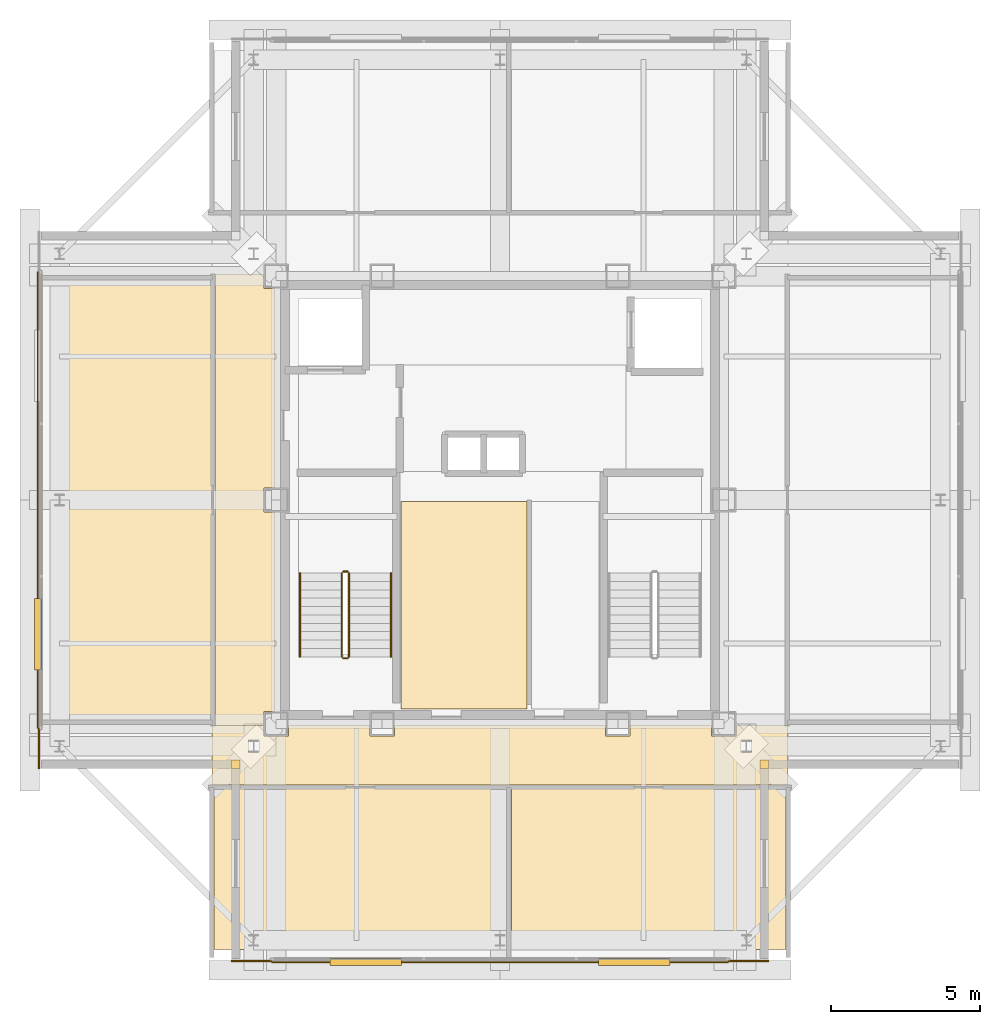
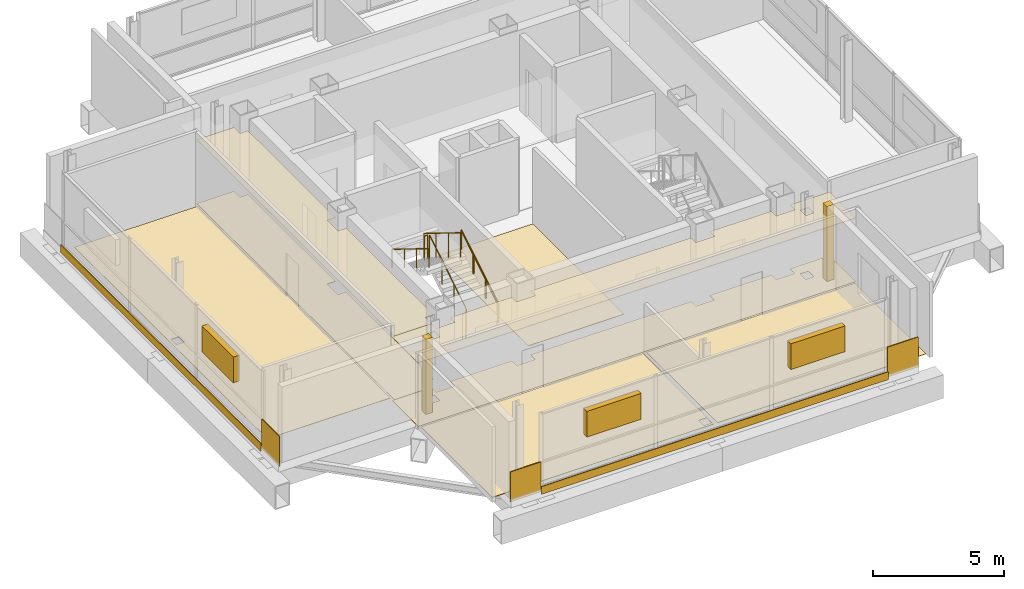
# One storey, part 8 of 10: 15 coverings, 6 railings, 3 shading devices.
"""IFC4 building model written with IfcOpenShell, lengths in metres."""

from ifc_helpers import new_model, si_unit, direction, frame, frame_2d, origin, origin_2d, place, context, subcontext, project, spatial, polyline, rectangle, circle, outline, extrude, material, layer, layer_set, type_object, element, save


model = new_model("IFC4")

# Units and contexts
model_context = context("Model", 3, precision=1e-05, world=origin(), true_north=direction((0.0, 1.0)))
body_context = subcontext(model_context, "Body", "Model", "MODEL_VIEW")
ifc_project = project(units=[si_unit("LENGTHUNIT", "METRE"), si_unit("AREAUNIT", "SQUARE_METRE"), si_unit("VOLUMEUNIT", "CUBIC_METRE"), si_unit("PLANEANGLEUNIT", "RADIAN"), si_unit("MASSUNIT", "GRAM", prefix="KILO")], contexts=[model_context])

# Site, building, storey
site_placement = place(None, origin())
site = spatial("IfcSite", under=ifc_project, at=site_placement, CompositionType="ELEMENT")
building_placement = place(site_placement, origin())
building = spatial("IfcBuilding", under=site, at=building_placement, Name="Trevonay Congress Spire", CompositionType="ELEMENT")
storey_placement = place(building_placement, frame((0.0, 0.0, 316.0)))
storey = spatial("IfcBuildingStorey", under=building, at=storey_placement, Name="L83", CompositionType="ELEMENT", Elevation=316.0)

# Coverings
ifc_material_1 = material(Name="Acoustic Mineral Fibre Board", Category="gypsum")
ifc_layer_1 = layer(ifc_material_1, 0.02490234375, Name="Acoustic Mineral Fibre Board")
ifc_layer_set_1 = layer_set([ifc_layer_1], Name="Acoustic Mineral Fibre Board")
covering_type_1 = type_object("IfcCoveringType", Name="COV-CEIL-ACOUSTIC", PredefinedType="CEILING", material=ifc_layer_set_1)
covering_1_placement = place(storey_placement, frame((0.0, 0.0, 2.969970703125)))
element("IfcCovering", 1, at=covering_1_placement, inside=storey, type_object=covering_type_1, Name="L83 Crown Gallery Corridor South acoustic suspended ceiling", PredefinedType="CEILING", context=body_context, shape_type="SweptSolid", body=[
    extrude(outline(polyline([(9.64990234375, -7.550048828125), (9.64990234375, -9.550048828125), (-9.64990234375, -9.550048828125), (-9.64990234375, -7.550048828125), (-7.909912109375, -7.550048828125), (-7.909912109375, -7.909912109375), (-7.090087890625, -7.909912109375), (-7.090087890625, -7.550048828125), (-4.360107421875, -7.550048828125), (-4.360107421875, -7.909912109375), (-3.5400390625, -7.909912109375), (-3.5400390625, -7.550048828125), (3.5400390625, -7.550048828125), (3.5400390625, -7.909912109375), (4.360107421875, -7.909912109375), (4.360107421875, -7.550048828125), (7.090087890625, -7.550048828125), (7.090087890625, -7.909912109375), (7.909912109375, -7.909912109375), (7.909912109375, -7.550048828125), (9.64990234375, -7.550048828125)]), holes=[polyline([(-8.429931640625, -8.04345703125), (-8.429931640625, -8.45654296875), (-8.070068359375, -8.45654296875), (-8.070068359375, -8.04345703125), (-8.429931640625, -8.04345703125)]), polyline([(8.429931640625, -8.04345703125), (8.070068359375, -8.04345703125), (8.070068359375, -8.45654296875), (8.429931640625, -8.45654296875), (8.429931640625, -8.04345703125)])]), origin(), (0.0, 0.0, 1.0), 0.025146484375),
])
covering_2_placement = place(storey_placement, frame((0.0, 0.0, 2.969970703125)))
element("IfcCovering", 2, at=covering_2_placement, inside=storey, type_object=covering_type_1, Name="L83 Crown Gallery Corridor West acoustic suspended ceiling", PredefinedType="CEILING", context=body_context, shape_type="SweptSolid", body=[
    extrude(outline(polyline([(-9.550048828125, 7.550048828125), (-7.909912109375, 7.550048828125), (-7.909912109375, 7.090087890625), (-7.550048828125, 7.090087890625), (-7.550048828125, 0.409912109375), (-7.909912109375, 0.409912109375), (-7.909912109375, -0.409912109375), (-7.550048828125, -0.409912109375), (-7.550048828125, -7.090087890625), (-7.909912109375, -7.090087890625), (-7.909912109375, -7.550048828125), (-9.550048828125, -7.550048828125), (-9.550048828125, 7.550048828125)])), origin(), (0.0, 0.0, 1.0), 0.025146484375),
])
ifc_material_2 = material(Name="Polished Granite Floor Tile", Category="masonry")
ifc_layer_2 = layer(ifc_material_2, 0.02001953125, Name="Polished Granite Floor Tile")
ifc_layer_set_2 = layer_set([ifc_layer_2], Name="Polished Granite Floor Tile")
covering_type_2 = type_object("IfcCoveringType", Name="COV-FLOOR-STONE", PredefinedType="FLOORING", material=ifc_layer_set_2)
covering_3_placement = place(storey_placement, origin())
element("IfcCovering", 3, at=covering_3_placement, inside=storey, type_object=covering_type_2, Name="L83 Translation Equipment Hub floor finish", PredefinedType="FLOORING", context=body_context, shape_type="SweptSolid", body=[
    extrude(outline(polyline([(-3.320068359375, -7.0), (0.89990234375, -7.0), (0.89990234375, -0.050048828125), (-3.320068359375, -0.050048828125), (-3.320068359375, -7.0)])), origin(), (0.0, 0.0, 1.0), 0.02001953125),
])
covering_4_placement = place(storey_placement, origin())
element("IfcCovering", 4, at=covering_4_placement, inside=storey, type_object=covering_type_2, Name="L83 Crown Gallery Corridor South floor finish", PredefinedType="FLOORING", context=body_context, shape_type="SweptSolid", body=[
    extrude(outline(polyline([(9.64990234375, -7.550048828125), (9.64990234375, -9.550048828125), (-9.64990234375, -9.550048828125), (-9.64990234375, -7.550048828125), (-7.909912109375, -7.550048828125), (-7.909912109375, -7.909912109375), (-7.090087890625, -7.909912109375), (-7.090087890625, -7.550048828125), (-4.360107421875, -7.550048828125), (-4.360107421875, -7.909912109375), (-3.5400390625, -7.909912109375), (-3.5400390625, -7.550048828125), (3.5400390625, -7.550048828125), (3.5400390625, -7.909912109375), (4.360107421875, -7.909912109375), (4.360107421875, -7.550048828125), (7.090087890625, -7.550048828125), (7.090087890625, -7.909912109375), (7.909912109375, -7.909912109375), (7.909912109375, -7.550048828125), (9.64990234375, -7.550048828125)]), holes=[polyline([(-8.429931640625, -8.04345703125), (-8.429931640625, -8.45654296875), (-8.070068359375, -8.45654296875), (-8.070068359375, -8.04345703125), (-8.429931640625, -8.04345703125)]), polyline([(8.429931640625, -8.04345703125), (8.070068359375, -8.04345703125), (8.070068359375, -8.45654296875), (8.429931640625, -8.45654296875), (8.429931640625, -8.04345703125)])]), origin(), (0.0, 0.0, 1.0), 0.02001953125),
])
covering_5_placement = place(storey_placement, origin())
element("IfcCovering", 5, at=covering_5_placement, inside=storey, type_object=covering_type_2, Name="L83 Crown Gallery Corridor West floor finish", PredefinedType="FLOORING", context=body_context, shape_type="SweptSolid", body=[
    extrude(outline(polyline([(-9.550048828125, 7.550048828125), (-7.909912109375, 7.550048828125), (-7.909912109375, 7.090087890625), (-7.550048828125, 7.090087890625), (-7.550048828125, 0.409912109375), (-7.909912109375, 0.409912109375), (-7.909912109375, -0.409912109375), (-7.550048828125, -0.409912109375), (-7.550048828125, -7.090087890625), (-7.909912109375, -7.090087890625), (-7.909912109375, -7.550048828125), (-9.550048828125, -7.550048828125), (-9.550048828125, 7.550048828125)])), origin(), (0.0, 0.0, 1.0), 0.02001953125),
])
covering_6_placement = place(storey_placement, origin())
element("IfcCovering", 6, at=covering_6_placement, inside=storey, type_object=covering_type_2, Name="L83 Crown Cooling Tower Plant floor finish", PredefinedType="FLOORING", context=body_context, shape_type="SweptSolid", body=[
    extrude(outline(polyline([(-9.570068359375, -9.6201171875), (0.219970703125, -9.6201171875), (0.219970703125, -15.050048828125), (-9.570068359375, -15.050048828125), (-9.570068359375, -9.6201171875)]), holes=[polyline([(-8.4208984375, -14.946044921875), (-8.0791015625, -14.946044921875), (-8.0791015625, -14.553955078125), (-8.4208984375, -14.553955078125), (-8.4208984375, -14.946044921875)]), polyline([(-0.1708984375, -14.946044921875), (0.1708984375, -14.946044921875), (0.1708984375, -14.553955078125), (-0.1708984375, -14.553955078125), (-0.1708984375, -14.946044921875)])]), origin(), (0.0, 0.0, 1.0), 0.02001953125),
])
covering_7_placement = place(storey_placement, origin())
element("IfcCovering", 7, at=covering_7_placement, inside=storey, type_object=covering_type_2, Name="L83 Water Treatment Plant floor finish", PredefinedType="FLOORING", context=body_context, shape_type="SweptSolid", body=[
    extrude(outline(polyline([(0.3798828125, -9.6201171875), (9.570068359375, -9.6201171875), (9.570068359375, -15.050048828125), (0.3798828125, -15.050048828125), (0.3798828125, -9.6201171875)]), holes=[polyline([(8.4208984375, -14.946044921875), (8.4208984375, -14.553955078125), (8.0791015625, -14.553955078125), (8.0791015625, -14.946044921875), (8.4208984375, -14.946044921875)])]), origin(), (0.0, 0.0, 1.0), 0.02001953125),
])
covering_8_placement = place(storey_placement, origin())
element("IfcCovering", 8, at=covering_8_placement, inside=storey, type_object=covering_type_2, Name="L83 Spire Structural Monitoring Plant floor finish", PredefinedType="FLOORING", context=body_context, shape_type="SweptSolid", body=[
    extrude(outline(polyline([(-15.050048828125, 7.3701171875), (-9.6201171875, 7.3701171875), (-9.6201171875, -7.3701171875), (-15.050048828125, -7.3701171875), (-15.050048828125, 7.3701171875)]), holes=[polyline([(-14.5791015625, -0.196044921875), (-14.5791015625, 0.196044921875), (-14.9208984375, 0.196044921875), (-14.9208984375, -0.196044921875), (-14.5791015625, -0.196044921875)])]), origin(), (0.0, 0.0, 1.0), 0.02001953125),
])
ifc_material_3 = material(Name="Pale Anodised Aluminium EN AW-6063-T6", Category="aluminium")
ifc_layer_3 = layer(ifc_material_3, 0.0400390625, Name="Pale Anodised Aluminium EN AW-6063-T6")
ifc_layer_set_3 = layer_set([ifc_layer_3], Name="Pale Anodised Aluminium EN AW-6063-T6")
covering_type_3 = type_object("IfcCoveringType", Name="COV-SPANDREL-PALE-METAL", PredefinedType="CLADDING", material=ifc_layer_set_3)
for number, where, z_axis, x_axis, name in (
    (9, (-7.64990234375, -15.47998046875, -0.239990234375), (0.0, 0.0, 1.0), (1.0, 0.0, 0.0), "L83 S pale-metal slab-edge spandrel cladding"),
    (10, (-15.47998046875, -7.64990234375, -0.239990234375), (0.0, 0.0, 1.0), (0.0, 1.0, 0.0), "L83 W pale-metal slab-edge spandrel cladding"),
):
    element("IfcCovering", number, at=place(storey_placement, frame(where, z_axis=z_axis, x_axis=x_axis)), inside=storey, type_object=covering_type_3, Name=name, PredefinedType="CLADDING", context=body_context, shape_type="SweptSolid", body=[
        extrude(rectangle(XDim=15.2998046875, YDim=0.0400390625, at=frame_2d((7.64990234375, 0.0))), origin(), (0.0, 0.0, 1.0), 0.360107421875),
    ])
covering_9_placement = place(storey_placement, origin())
element("IfcCovering", 11, at=covering_9_placement, inside=storey, type_object=covering_type_3, Name="L83 SW re-entrant notch corner closure trim", PredefinedType="CLADDING", context=body_context, shape_type="SweptSolid", body=[
    extrude(outline(polyline([(-9.0, -9.0), (-8.699951171875, -9.0), (-8.699951171875, -8.699951171875), (-9.0, -8.699951171875), (-9.0, -9.0)])), origin(), (0.0, 0.0, 1.0), 3.52001953125),
])
for number, where, z_axis, x_axis, name in (
    (12, (-15.43994140625, -7.64990234375, -0.14990234375), (0.0, 0.0, 1.0), (0.0, -1.0, 0.0), "L83 SW corner pier spandrel cladding 1"),
    (13, (-7.64990234375, -15.43994140625, -0.14990234375), (0.0, 0.0, 1.0), (-1.0, 0.0, 0.0), "L83 SW corner pier spandrel cladding 2"),
):
    element("IfcCovering", number, at=place(storey_placement, frame(where, z_axis=z_axis, x_axis=x_axis)), inside=storey, type_object=covering_type_3, Name=name, PredefinedType="CLADDING", context=body_context, shape_type="SweptSolid", body=[
        extrude(rectangle(XDim=1.35009765625, YDim=0.0400390625, at=frame_2d((0.675048828125, 0.0))), origin(), (0.0, 0.0, 1.0), 1.39990234375),
    ])
covering_10_placement = place(storey_placement, origin())
element("IfcCovering", 14, at=covering_10_placement, inside=storey, type_object=covering_type_3, Name="L83 SE re-entrant notch corner closure trim", PredefinedType="CLADDING", context=body_context, shape_type="SweptSolid", body=[
    extrude(outline(polyline([(8.699951171875, -9.0), (9.0, -9.0), (9.0, -8.699951171875), (8.699951171875, -8.699951171875), (8.699951171875, -9.0)])), origin(), (0.0, 0.0, 1.0), 3.52001953125),
])
covering_11_placement = place(storey_placement, frame((7.64990234375, -15.43994140625, -0.14990234375), z_axis=(0.0, 0.0, 1.0), x_axis=(1.0, 0.0, 0.0)))
element("IfcCovering", 15, at=covering_11_placement, inside=storey, type_object=covering_type_3, Name="L83 SE corner pier spandrel cladding 2", PredefinedType="CLADDING", context=body_context, shape_type="SweptSolid", body=[
    extrude(rectangle(XDim=1.35009765625, YDim=0.0400390625, at=frame_2d((0.675048828125, 0.0))), origin(), (0.0, 0.0, 1.0), 1.39990234375),
])

# Railings
railing_type_1 = type_object("IfcRailingType", Name="RAL-STAIR-GUARD-110", PredefinedType="GUARDRAIL", material=ifc_material_3)
railing_1_placement = place(storey_placement, frame((-5.050048828125, -5.25, 0.172607421875)))
element("IfcRailing", 16, at=railing_1_placement, inside=storey, type_object=railing_type_1, Name="L83 ST-1 stair guard 1", PredefinedType="GUARDRAIL", context=body_context, shape_type="SweptSolid", body=[
    extrude(circle(Radius=0.02392578125, at=origin_2d()), frame((0.0, 0.0, 1.1259765625), z_axis=(0.0, 0.851089632645, 0.525020415988), x_axis=(-1.0, 0.0, 0.0)), (0.0, 0.0, 1.0), 3.2900390625),
    extrude(circle(Radius=0.02099609375, at=origin_2d()), origin(), (0.0, 0.0, 1.0), 1.101806640625),
    extrude(circle(Radius=0.02099609375, at=origin_2d()), frame((0.0, 0.933349609375, 0.57568359375)), (0.0, 0.0, 1.0), 1.101806640625),
    extrude(circle(Radius=0.02099609375, at=origin_2d()), frame((0.0, 1.86669921875, 1.151611328125)), (0.0, 0.0, 1.0), 1.101806640625),
    extrude(circle(Radius=0.02099609375, at=origin_2d()), frame((0.0, 2.800048828125, 1.727294921875)), (0.0, 0.0, 1.0), 1.101806640625),
])
railing_2_placement = place(storey_placement, frame((-5.10009765625, -2.39990234375, 1.89990234375)))
element("IfcRailing", 17, at=railing_2_placement, inside=storey, type_object=railing_type_1, Name="L83 ST-1 stair guard 2", PredefinedType="GUARDRAIL", context=body_context, shape_type="SweptSolid", body=[
    extrude(circle(Radius=0.02392578125, at=origin_2d()), frame((0.0, 0.0, 1.1259765625), z_axis=(-1.0, 0.0, 0.0), x_axis=(0.0, -1.0, 0.0)), (0.0, 0.0, 1.0), 0.14990234375),
    extrude(circle(Radius=0.02099609375, at=origin_2d()), origin(), (0.0, 0.0, 1.0), 1.101806640625),
    extrude(circle(Radius=0.02099609375, at=origin_2d()), frame((-0.14990234375, 0.0, 0.0)), (0.0, 0.0, 1.0), 1.101806640625),
])
railing_3_placement = place(storey_placement, frame((-5.300048828125, -2.449951171875, 2.07275390625)))
element("IfcRailing", 18, at=railing_3_placement, inside=storey, type_object=railing_type_1, Name="L83 ST-1 stair guard 3", PredefinedType="GUARDRAIL", context=body_context, shape_type="SweptSolid", body=[
    extrude(circle(Radius=0.02392578125, at=origin_2d()), frame((0.0, 0.0, 1.1259765625), z_axis=(0.0, -0.851089632645, 0.525020415988), x_axis=(1.0, 0.0, 0.0)), (0.0, 0.0, 1.0), 3.2900390625),
    extrude(circle(Radius=0.02099609375, at=origin_2d()), origin(), (0.0, 0.0, 1.0), 1.101806640625),
    extrude(circle(Radius=0.02099609375, at=origin_2d()), frame((0.0, -0.933349609375, 0.57568359375)), (0.0, 0.0, 1.0), 1.101806640625),
    extrude(circle(Radius=0.02099609375, at=origin_2d()), frame((0.0, -1.86669921875, 1.151611328125)), (0.0, 0.0, 1.0), 1.101806640625),
    extrude(circle(Radius=0.02099609375, at=origin_2d()), frame((0.0, -2.800048828125, 1.727294921875)), (0.0, 0.0, 1.0), 1.101806640625),
])
railing_4_placement = place(storey_placement, frame((-5.10009765625, -5.300048828125, 0.0)))
element("IfcRailing", 19, at=railing_4_placement, inside=storey, type_object=railing_type_1, Name="L83 ST-1 stair guard 4", PredefinedType="GUARDRAIL", context=body_context, shape_type="SweptSolid", body=[
    extrude(circle(Radius=0.02392578125, at=origin_2d()), frame((0.0, 0.0, 1.1259765625), z_axis=(-1.0, 0.0, 0.0), x_axis=(0.0, -1.0, 0.0)), (0.0, 0.0, 1.0), 0.14990234375),
    extrude(circle(Radius=0.02099609375, at=origin_2d()), origin(), (0.0, 0.0, 1.0), 1.101806640625),
    extrude(circle(Radius=0.02099609375, at=origin_2d()), frame((-0.14990234375, 0.0, 0.0)), (0.0, 0.0, 1.0), 1.101806640625),
])
railing_type_2 = type_object("IfcRailingType", Name="RAL-STAIR-HANDRAIL", PredefinedType="HANDRAIL", material=ifc_material_3)
railing_5_placement = place(storey_placement, frame((-3.64990234375, -5.25, 0.172607421875)))
element("IfcRailing", 20, at=railing_5_placement, inside=storey, type_object=railing_type_2, Name="L83 ST-1 stair handrail 1", PredefinedType="HANDRAIL", context=body_context, shape_type="SweptSolid", body=[
    extrude(circle(Radius=0.02392578125, at=origin_2d()), frame((0.0, 0.0, 0.8759765625), z_axis=(0.0, 0.851089632645, 0.525020415988), x_axis=(-1.0, 0.0, 0.0)), (0.0, 0.0, 1.0), 3.2900390625),
    extrude(circle(Radius=0.02099609375, at=origin_2d()), origin(), (0.0, 0.0, 1.0), 0.851806640625),
    extrude(circle(Radius=0.02099609375, at=origin_2d()), frame((0.0, 0.933349609375, 0.57568359375)), (0.0, 0.0, 1.0), 0.851806640625),
    extrude(circle(Radius=0.02099609375, at=origin_2d()), frame((0.0, 1.86669921875, 1.151611328125)), (0.0, 0.0, 1.0), 0.851806640625),
    extrude(circle(Radius=0.02099609375, at=origin_2d()), frame((0.0, 2.800048828125, 1.727294921875)), (0.0, 0.0, 1.0), 0.851806640625),
])
railing_6_placement = place(storey_placement, frame((-6.699951171875, -2.449951171875, 2.07275390625)))
element("IfcRailing", 21, at=railing_6_placement, inside=storey, type_object=railing_type_2, Name="L83 ST-1 stair handrail 2", PredefinedType="HANDRAIL", context=body_context, shape_type="SweptSolid", body=[
    extrude(circle(Radius=0.02392578125, at=origin_2d()), frame((0.0, 0.0, 0.8759765625), z_axis=(0.0, -0.851089632645, 0.525020415988), x_axis=(1.0, 0.0, 0.0)), (0.0, 0.0, 1.0), 3.2900390625),
    extrude(circle(Radius=0.02099609375, at=origin_2d()), origin(), (0.0, 0.0, 1.0), 0.851806640625),
    extrude(circle(Radius=0.02099609375, at=origin_2d()), frame((0.0, -0.933349609375, 0.57568359375)), (0.0, 0.0, 1.0), 0.851806640625),
    extrude(circle(Radius=0.02099609375, at=origin_2d()), frame((0.0, -1.86669921875, 1.151611328125)), (0.0, 0.0, 1.0), 0.851806640625),
    extrude(circle(Radius=0.02099609375, at=origin_2d()), frame((0.0, -2.800048828125, 1.727294921875)), (0.0, 0.0, 1.0), 0.851806640625),
])

# Shading devices
shading_device_type = type_object("IfcShadingDeviceType", Name="SHD-LOUVRE-PLANT-ALUM", PredefinedType="USERDEFINED", material=ifc_material_3)
for number, where, z_axis, x_axis, name in (
    (22, (-4.5, -15.4599609375, 1.7998046875), (0.0, 0.0, 1.0), (1.0, 0.0, 0.0), "L83 S crown plant intake louvre 1"),
    (23, (4.5, -15.4599609375, 1.7998046875), (0.0, 0.0, 1.0), (1.0, 0.0, 0.0), "L83 S crown plant intake louvre 2"),
    (24, (-15.4599609375, -4.5, 1.7998046875), (0.0, 0.0, 1.0), (0.0, 1.0, 0.0), "L83 W crown plant intake louvre 1"),
):
    element("IfcShadingDevice", number, at=place(storey_placement, frame(where, z_axis=z_axis, x_axis=x_axis)), inside=storey, type_object=shading_device_type, Name=name, ObjectType="LOUVRE", PredefinedType="USERDEFINED", context=body_context, shape_type="SweptSolid", body=[
        extrude(rectangle(XDim=2.39990234375, YDim=0.25, at=origin_2d()), origin(), (0.0, 0.0, 1.0), 1.199951171875),
    ])

save(model, "model.ifc")
